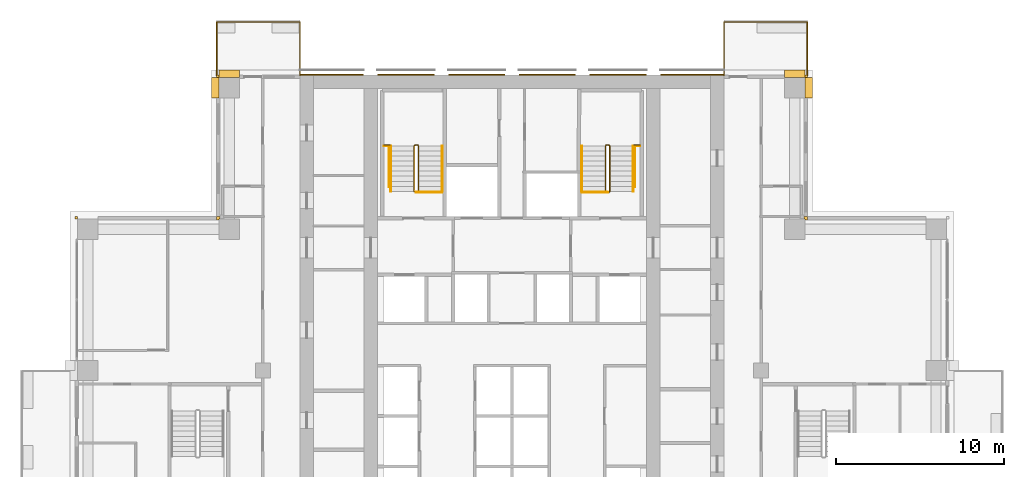
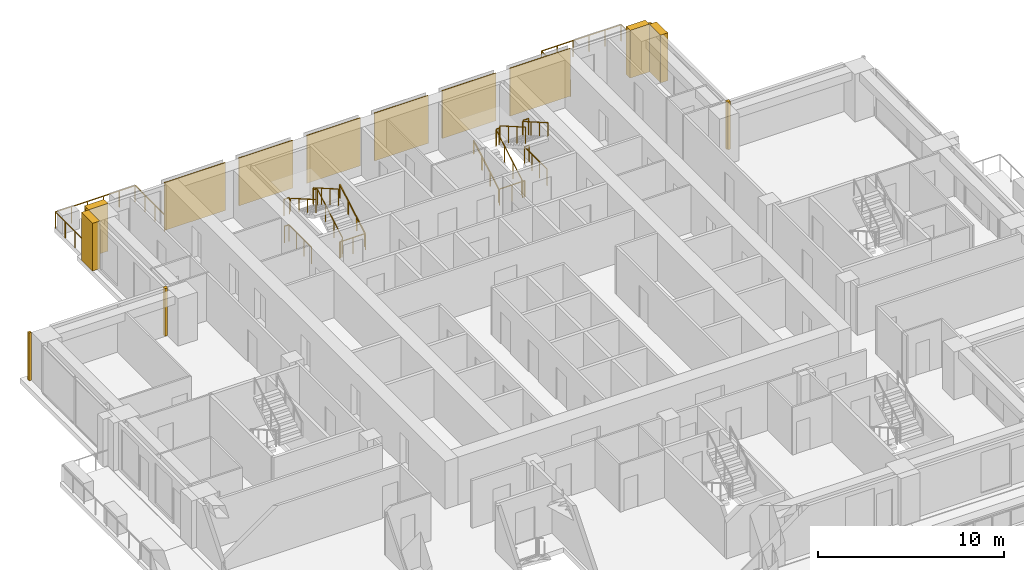
# One storey, part 17 of 18: 15 coverings, 14 railings.
"""IFC4 building model written with IfcOpenShell, lengths in metres."""

from ifc_helpers import new_model, si_unit, direction, frame, origin, origin_2d, place, context, subcontext, project, spatial, polyline, rectangle, outline, extrude, material, type_object, element, save


model = new_model("IFC4")

# Units and contexts
model_context = context("Model", 3, precision=1e-05, world=origin(), true_north=direction((0.0, 1.0)))
body_context = subcontext(model_context, "Body", "Model", "MODEL_VIEW")
ifc_project = project(units=[si_unit("LENGTHUNIT", "METRE"), si_unit("AREAUNIT", "SQUARE_METRE"), si_unit("VOLUMEUNIT", "CUBIC_METRE"), si_unit("PLANEANGLEUNIT", "RADIAN"), si_unit("MASSUNIT", "GRAM", prefix="KILO")], contexts=[model_context])

# Site, building, storey
site_placement = place(None, origin())
site = spatial("IfcSite", under=ifc_project, at=site_placement, CompositionType="ELEMENT")
building_placement = place(site_placement, origin())
building = spatial("IfcBuilding", under=site, at=building_placement, Name="Vermilion Ogive Tower", CompositionType="ELEMENT")
storey_placement = place(building_placement, frame((0.0, 0.0, 108.0)))
storey = spatial("IfcBuildingStorey", under=building, at=storey_placement, Name="L27", CompositionType="ELEMENT", Elevation=108.0)

# Railings
ifc_material_1 = material(Name="Stainless steel and glass", Category="steel")
railing_type_1 = type_object("IfcRailingType", Name="Balcony guard", PredefinedType="GUARDRAIL", material=ifc_material_1)
railing_1_placement = place(storey_placement, frame((17.550048828125, 21.75, -0.0400390625)))
element("IfcRailing", 1, at=railing_1_placement, inside=storey, type_object=railing_type_1, Name="Guard N101", PredefinedType="GUARDRAIL", context=body_context, shape_type="SweptSolid", body=[
    extrude(rectangle(XDim=0.048095703125, YDim=0.048095703125, at=origin_2d()), frame((0.0, 0.0, 1.076171875), z_axis=(0.0, 1.0, 0.0), x_axis=(-1.0, 0.0, 0.0)), (0.0, 0.0, 1.0), 3.159912109375),
    extrude(rectangle(XDim=0.048095703125, YDim=0.048095703125, at=origin_2d()), frame((0.0, 3.159912109375, 1.076171875), z_axis=(-1.0, 0.0, 0.0), x_axis=(0.0, -1.0, 0.0)), (0.0, 0.0, 1.0), 4.949951171875),
    extrude(rectangle(XDim=0.048095703125, YDim=0.048095703125, at=origin_2d()), frame((-4.949951171875, 3.159912109375, 1.076171875), z_axis=(0.0, -1.0, 0.0), x_axis=(1.0, 0.0, 0.0)), (0.0, 0.0, 1.0), 3.159912109375),
    extrude(rectangle(XDim=0.0419921875, YDim=0.0419921875, at=origin_2d()), origin(), (0.0, 0.0, 1.0), 1.052001953125),
    extrude(rectangle(XDim=0.0419921875, YDim=0.0419921875, at=origin_2d()), frame((0.0, 1.05322265625, 0.0)), (0.0, 0.0, 1.0), 1.052001953125),
    extrude(rectangle(XDim=0.0419921875, YDim=0.0419921875, at=origin_2d()), frame((0.0, 2.106689453125, 0.0)), (0.0, 0.0, 1.0), 1.052001953125),
    extrude(rectangle(XDim=0.0419921875, YDim=0.0419921875, at=origin_2d()), frame((0.0, 3.159912109375, 0.0)), (0.0, 0.0, 1.0), 1.052001953125),
    extrude(rectangle(XDim=0.0419921875, YDim=0.0419921875, at=origin_2d()), frame((-0.989990234375, 3.159912109375, 0.0)), (0.0, 0.0, 1.0), 1.052001953125),
    extrude(rectangle(XDim=0.0419921875, YDim=0.0419921875, at=origin_2d()), frame((-1.97998046875, 3.159912109375, 0.0)), (0.0, 0.0, 1.0), 1.052001953125),
    extrude(rectangle(XDim=0.0419921875, YDim=0.0419921875, at=origin_2d()), frame((-2.969970703125, 3.159912109375, 0.0)), (0.0, 0.0, 1.0), 1.052001953125),
    extrude(rectangle(XDim=0.0419921875, YDim=0.0419921875, at=origin_2d()), frame((-3.9599609375, 3.159912109375, 0.0)), (0.0, 0.0, 1.0), 1.052001953125),
    extrude(rectangle(XDim=0.0419921875, YDim=0.0419921875, at=origin_2d()), frame((-4.949951171875, 3.159912109375, 0.0)), (0.0, 0.0, 1.0), 1.052001953125),
    extrude(rectangle(XDim=0.0419921875, YDim=0.0419921875, at=origin_2d()), frame((-4.949951171875, 2.106689453125, 0.0)), (0.0, 0.0, 1.0), 1.052001953125),
    extrude(rectangle(XDim=0.0419921875, YDim=0.0419921875, at=origin_2d()), frame((-4.949951171875, 1.05322265625, 0.0)), (0.0, 0.0, 1.0), 1.052001953125),
    extrude(rectangle(XDim=0.0419921875, YDim=0.0419921875, at=origin_2d()), frame((-4.949951171875, 0.0, 0.0)), (0.0, 0.0, 1.0), 1.052001953125),
])
railing_2_placement = place(storey_placement, frame((-12.60009765625, 21.75, -0.0400390625)))
element("IfcRailing", 2, at=railing_2_placement, inside=storey, type_object=railing_type_1, Name="Guard N201", PredefinedType="GUARDRAIL", context=body_context, shape_type="SweptSolid", body=[
    extrude(rectangle(XDim=0.048095703125, YDim=0.048095703125, at=origin_2d()), frame((0.0, 0.0, 1.076171875), z_axis=(0.0, 1.0, 0.0), x_axis=(-1.0, 0.0, 0.0)), (0.0, 0.0, 1.0), 3.159912109375),
    extrude(rectangle(XDim=0.048095703125, YDim=0.048095703125, at=origin_2d()), frame((0.0, 3.159912109375, 1.076171875), z_axis=(-1.0, 0.0, 0.0), x_axis=(0.0, -1.0, 0.0)), (0.0, 0.0, 1.0), 4.949951171875),
    extrude(rectangle(XDim=0.048095703125, YDim=0.048095703125, at=origin_2d()), frame((-4.949951171875, 3.159912109375, 1.076171875), z_axis=(0.0, -1.0, 0.0), x_axis=(1.0, 0.0, 0.0)), (0.0, 0.0, 1.0), 3.159912109375),
    extrude(rectangle(XDim=0.0419921875, YDim=0.0419921875, at=origin_2d()), origin(), (0.0, 0.0, 1.0), 1.052001953125),
    extrude(rectangle(XDim=0.0419921875, YDim=0.0419921875, at=origin_2d()), frame((0.0, 1.05322265625, 0.0)), (0.0, 0.0, 1.0), 1.052001953125),
    extrude(rectangle(XDim=0.0419921875, YDim=0.0419921875, at=origin_2d()), frame((0.0, 2.106689453125, 0.0)), (0.0, 0.0, 1.0), 1.052001953125),
    extrude(rectangle(XDim=0.0419921875, YDim=0.0419921875, at=origin_2d()), frame((0.0, 3.159912109375, 0.0)), (0.0, 0.0, 1.0), 1.052001953125),
    extrude(rectangle(XDim=0.0419921875, YDim=0.0419921875, at=origin_2d()), frame((-0.989990234375, 3.159912109375, 0.0)), (0.0, 0.0, 1.0), 1.052001953125),
    extrude(rectangle(XDim=0.0419921875, YDim=0.0419921875, at=origin_2d()), frame((-1.97998046875, 3.159912109375, 0.0)), (0.0, 0.0, 1.0), 1.052001953125),
    extrude(rectangle(XDim=0.0419921875, YDim=0.0419921875, at=origin_2d()), frame((-2.969970703125, 3.159912109375, 0.0)), (0.0, 0.0, 1.0), 1.052001953125),
    extrude(rectangle(XDim=0.0419921875, YDim=0.0419921875, at=origin_2d()), frame((-3.9599609375, 3.159912109375, 0.0)), (0.0, 0.0, 1.0), 1.052001953125),
    extrude(rectangle(XDim=0.0419921875, YDim=0.0419921875, at=origin_2d()), frame((-4.949951171875, 3.159912109375, 0.0)), (0.0, 0.0, 1.0), 1.052001953125),
    extrude(rectangle(XDim=0.0419921875, YDim=0.0419921875, at=origin_2d()), frame((-4.949951171875, 2.106689453125, 0.0)), (0.0, 0.0, 1.0), 1.052001953125),
    extrude(rectangle(XDim=0.0419921875, YDim=0.0419921875, at=origin_2d()), frame((-4.949951171875, 1.05322265625, 0.0)), (0.0, 0.0, 1.0), 1.052001953125),
    extrude(rectangle(XDim=0.0419921875, YDim=0.0419921875, at=origin_2d()), frame((-4.949951171875, 0.0, 0.0)), (0.0, 0.0, 1.0), 1.052001953125),
])
ifc_material_2 = material(Name="Steel S355 painted", Category="steel")
railing_type_2 = type_object("IfcRailingType", Name="Stair guard 1100", PredefinedType="GUARDRAIL", material=ifc_material_2)
railing_3_placement = place(storey_placement, frame((-5.75, 14.800048828125, 0.0)))
element("IfcRailing", 3, at=railing_3_placement, inside=storey, type_object=railing_type_2, Name="L27 ST1 stair guard 4", PredefinedType="GUARDRAIL", context=body_context, shape_type="SweptSolid", body=[
    extrude(rectangle(XDim=0.048095703125, YDim=0.048095703125, at=origin_2d()), frame((0.0, 0.0, 1.076171875), z_axis=(1.0, 0.0, 0.0), x_axis=(0.0, 1.0, 0.0)), (0.0, 0.0, 1.0), 0.14990234375),
    extrude(rectangle(XDim=0.048095703125, YDim=0.048095703125, at=origin_2d()), frame((0.14990234375, 0.0, 1.076171875), z_axis=(0.268277960024, 0.268277960024, 0.925231793839), x_axis=(-0.707106781187, 0.707106781187, 0.0)), (0.0, 0.0, 1.0), 0.1865234375),
    extrude(rectangle(XDim=0.048095703125, YDim=0.048095703125, at=origin_2d()), frame((0.199951171875, 0.050048828125, 1.24853515625), z_axis=(0.0, 0.866903762492, 0.498475542607), x_axis=(-1.0, 0.0, 0.0)), (0.0, 0.0, 1.0), 3.114501953125),
    extrude(rectangle(XDim=0.048095703125, YDim=0.048095703125, at=origin_2d()), frame((0.199951171875, 2.75, 2.80126953125), z_axis=(-0.707106781187, 0.707106781187, 0.0), x_axis=(-0.707106781187, -0.707106781187, 0.0)), (0.0, 0.0, 1.0), 0.07080078125),
    extrude(rectangle(XDim=0.048095703125, YDim=0.048095703125, at=origin_2d()), frame((0.14990234375, 2.800048828125, 2.80126953125), z_axis=(-1.0, 0.0, 0.0), x_axis=(0.0, -1.0, 0.0)), (0.0, 0.0, 1.0), 0.14990234375),
    extrude(rectangle(XDim=0.048095703125, YDim=0.048095703125, at=origin_2d()), frame((0.0, 2.800048828125, 2.80126953125), z_axis=(-0.268603158521, -0.268603158521, 0.925043072762), x_axis=(0.707106781187, -0.707106781187, 0.0)), (0.0, 0.0, 1.0), 0.186279296875),
    extrude(rectangle(XDim=0.048095703125, YDim=0.048095703125, at=origin_2d()), frame((-0.050048828125, 2.75, 2.9736328125), z_axis=(0.0, -0.866903762492, 0.498475542607), x_axis=(1.0, 0.0, 0.0)), (0.0, 0.0, 1.0), 3.114501953125),
    extrude(rectangle(XDim=0.0419921875, YDim=0.0419921875, at=origin_2d()), origin(), (0.0, 0.0, 1.0), 1.052001953125),
    extrude(rectangle(XDim=0.0419921875, YDim=0.0419921875, at=origin_2d()), frame((0.14990234375, 0.0, 0.0)), (0.0, 0.0, 1.0), 1.052001953125),
    extrude(rectangle(XDim=0.0419921875, YDim=0.0419921875, at=origin_2d()), frame((0.199951171875, 0.050048828125, 0.172607421875)), (0.0, 0.0, 1.0), 1.052001953125),
    extrude(rectangle(XDim=0.0419921875, YDim=0.0419921875, at=origin_2d()), frame((0.199951171875, 0.949951171875, 0.690185546875)), (0.0, 0.0, 1.0), 1.052001953125),
    extrude(rectangle(XDim=0.0419921875, YDim=0.0419921875, at=origin_2d()), frame((0.199951171875, 1.85009765625, 1.20751953125)), (0.0, 0.0, 1.0), 1.052001953125),
    extrude(rectangle(XDim=0.0419921875, YDim=0.0419921875, at=origin_2d()), frame((0.199951171875, 2.75, 1.72509765625)), (0.0, 0.0, 1.0), 1.052001953125),
    extrude(rectangle(XDim=0.0419921875, YDim=0.0419921875, at=origin_2d()), frame((0.14990234375, 2.800048828125, 1.72509765625)), (0.0, 0.0, 1.0), 1.052001953125),
    extrude(rectangle(XDim=0.0419921875, YDim=0.0419921875, at=origin_2d()), frame((0.0, 2.800048828125, 1.72509765625)), (0.0, 0.0, 1.0), 1.052001953125),
    extrude(rectangle(XDim=0.0419921875, YDim=0.0419921875, at=origin_2d()), frame((-0.050048828125, 2.75, 1.8974609375)), (0.0, 0.0, 1.0), 1.052001953125),
    extrude(rectangle(XDim=0.0419921875, YDim=0.0419921875, at=origin_2d()), frame((-0.050048828125, 1.85009765625, 2.4150390625)), (0.0, 0.0, 1.0), 1.052001953125),
    extrude(rectangle(XDim=0.0419921875, YDim=0.0419921875, at=origin_2d()), frame((-0.050048828125, 0.949951171875, 2.932373046875)), (0.0, 0.0, 1.0), 1.052001953125),
    extrude(rectangle(XDim=0.0419921875, YDim=0.0419921875, at=origin_2d()), frame((-0.050048828125, 0.050048828125, 3.449951171875)), (0.0, 0.0, 1.0), 1.052001953125),
])
railing_4_placement = place(storey_placement, frame((5.75, 14.800048828125, 0.0)))
element("IfcRailing", 4, at=railing_4_placement, inside=storey, type_object=railing_type_2, Name="L27 ST2 stair guard 4", PredefinedType="GUARDRAIL", context=body_context, shape_type="SweptSolid", body=[
    extrude(rectangle(XDim=0.048095703125, YDim=0.048095703125, at=origin_2d()), frame((0.0, 0.0, 1.076171875), z_axis=(-1.0, 0.0, 0.0), x_axis=(0.0, -1.0, 0.0)), (0.0, 0.0, 1.0), 0.14990234375),
    extrude(rectangle(XDim=0.048095703125, YDim=0.048095703125, at=origin_2d()), frame((-0.14990234375, 0.0, 1.076171875), z_axis=(-0.268277960024, 0.268277960024, 0.925231793839), x_axis=(-0.707106781187, -0.707106781187, 0.0)), (0.0, 0.0, 1.0), 0.1865234375),
    extrude(rectangle(XDim=0.048095703125, YDim=0.048095703125, at=origin_2d()), frame((-0.199951171875, 0.050048828125, 1.24853515625), z_axis=(0.0, 0.866903762492, 0.498475542607), x_axis=(-1.0, 0.0, 0.0)), (0.0, 0.0, 1.0), 3.114501953125),
    extrude(rectangle(XDim=0.048095703125, YDim=0.048095703125, at=origin_2d()), frame((-0.199951171875, 2.75, 2.80126953125), z_axis=(0.707106781187, 0.707106781187, 0.0), x_axis=(-0.707106781187, 0.707106781187, 0.0)), (0.0, 0.0, 1.0), 0.07080078125),
    extrude(rectangle(XDim=0.048095703125, YDim=0.048095703125, at=origin_2d()), frame((-0.14990234375, 2.800048828125, 2.80126953125), z_axis=(1.0, 0.0, 0.0), x_axis=(0.0, 1.0, 0.0)), (0.0, 0.0, 1.0), 0.14990234375),
    extrude(rectangle(XDim=0.048095703125, YDim=0.048095703125, at=origin_2d()), frame((0.0, 2.800048828125, 2.80126953125), z_axis=(0.268603158521, -0.268603158521, 0.925043072762), x_axis=(0.707106781187, 0.707106781187, 0.0)), (0.0, 0.0, 1.0), 0.186279296875),
    extrude(rectangle(XDim=0.048095703125, YDim=0.048095703125, at=origin_2d()), frame((0.050048828125, 2.75, 2.9736328125), z_axis=(0.0, -0.866903762492, 0.498475542607), x_axis=(1.0, 0.0, 0.0)), (0.0, 0.0, 1.0), 3.114501953125),
    extrude(rectangle(XDim=0.0419921875, YDim=0.0419921875, at=origin_2d()), origin(), (0.0, 0.0, 1.0), 1.052001953125),
    extrude(rectangle(XDim=0.0419921875, YDim=0.0419921875, at=origin_2d()), frame((-0.14990234375, 0.0, 0.0)), (0.0, 0.0, 1.0), 1.052001953125),
    extrude(rectangle(XDim=0.0419921875, YDim=0.0419921875, at=origin_2d()), frame((-0.199951171875, 0.050048828125, 0.172607421875)), (0.0, 0.0, 1.0), 1.052001953125),
    extrude(rectangle(XDim=0.0419921875, YDim=0.0419921875, at=origin_2d()), frame((-0.199951171875, 0.949951171875, 0.690185546875)), (0.0, 0.0, 1.0), 1.052001953125),
    extrude(rectangle(XDim=0.0419921875, YDim=0.0419921875, at=origin_2d()), frame((-0.199951171875, 1.85009765625, 1.20751953125)), (0.0, 0.0, 1.0), 1.052001953125),
    extrude(rectangle(XDim=0.0419921875, YDim=0.0419921875, at=origin_2d()), frame((-0.199951171875, 2.75, 1.72509765625)), (0.0, 0.0, 1.0), 1.052001953125),
    extrude(rectangle(XDim=0.0419921875, YDim=0.0419921875, at=origin_2d()), frame((-0.14990234375, 2.800048828125, 1.72509765625)), (0.0, 0.0, 1.0), 1.052001953125),
    extrude(rectangle(XDim=0.0419921875, YDim=0.0419921875, at=origin_2d()), frame((0.0, 2.800048828125, 1.72509765625)), (0.0, 0.0, 1.0), 1.052001953125),
    extrude(rectangle(XDim=0.0419921875, YDim=0.0419921875, at=origin_2d()), frame((0.050048828125, 2.75, 1.8974609375)), (0.0, 0.0, 1.0), 1.052001953125),
    extrude(rectangle(XDim=0.0419921875, YDim=0.0419921875, at=origin_2d()), frame((0.050048828125, 1.85009765625, 2.4150390625)), (0.0, 0.0, 1.0), 1.052001953125),
    extrude(rectangle(XDim=0.0419921875, YDim=0.0419921875, at=origin_2d()), frame((0.050048828125, 0.949951171875, 2.932373046875)), (0.0, 0.0, 1.0), 1.052001953125),
    extrude(rectangle(XDim=0.0419921875, YDim=0.0419921875, at=origin_2d()), frame((0.050048828125, 0.050048828125, 3.449951171875)), (0.0, 0.0, 1.0), 1.052001953125),
])
for number, where, name in (
    (5, (-7.60009765625, 17.60009765625, 1.72509765625), "L27 landing guard"),
    (6, (7.25, 17.60009765625, 1.72509765625), "L27 landing guard"),
):
    element("IfcRailing", number, at=place(storey_placement, frame(where)), inside=storey, type_object=railing_type_2, Name=name, PredefinedType="GUARDRAIL", context=body_context, shape_type="SweptSolid", body=[
        extrude(rectangle(XDim=0.048095703125, YDim=0.048095703125, at=origin_2d()), frame((0.0, 0.0, 1.076171875), z_axis=(1.0, 0.0, 0.0), x_axis=(0.0, 1.0, 0.0)), (0.0, 0.0, 1.0), 0.35009765625),
        extrude(rectangle(XDim=0.0419921875, YDim=0.0419921875, at=origin_2d()), origin(), (0.0, 0.0, 1.0), 1.052001953125),
        extrude(rectangle(XDim=0.0419921875, YDim=0.0419921875, at=origin_2d()), frame((0.35009765625, 0.0, 0.0)), (0.0, 0.0, 1.0), 1.052001953125),
    ])
railing_5_placement = place(storey_placement, frame((-4.159912109375, 14.7900390625, 0.0)))
element("IfcRailing", 7, at=railing_5_placement, inside=storey, type_object=railing_type_2, Name="L27 stair opening guard", PredefinedType="GUARDRAIL", context=body_context, shape_type="SweptSolid", body=[
    extrude(rectangle(XDim=0.048095703125, YDim=0.048095703125, at=origin_2d()), frame((0.0, 0.0, 1.076171875), z_axis=(-1.0, 0.0, 0.0), x_axis=(0.0, -1.0, 0.0)), (0.0, 0.0, 1.0), 1.5400390625),
    extrude(rectangle(XDim=0.0419921875, YDim=0.0419921875, at=origin_2d()), origin(), (0.0, 0.0, 1.0), 1.052001953125),
    extrude(rectangle(XDim=0.0419921875, YDim=0.0419921875, at=origin_2d()), frame((-0.77001953125, 0.0, 0.0)), (0.0, 0.0, 1.0), 1.052001953125),
    extrude(rectangle(XDim=0.0419921875, YDim=0.0419921875, at=origin_2d()), frame((-1.5400390625, 0.0, 0.0)), (0.0, 0.0, 1.0), 1.052001953125),
])
railing_6_placement = place(storey_placement, frame((-7.3095703125, 15.11865234375, 0.0)))
element("IfcRailing", 8, at=railing_6_placement, inside=storey, type_object=railing_type_2, Name="L27 stair opening guard", PredefinedType="GUARDRAIL", context=body_context, shape_type="SweptSolid", body=[
    extrude(rectangle(XDim=0.048095703125, YDim=0.048095703125, at=origin_2d()), frame((0.0, 0.0, 1.076171875), z_axis=(0.0, 1.0, 0.0), x_axis=(-1.0, 0.0, 0.0)), (0.0, 0.0, 1.0), 2.42431640625),
    extrude(rectangle(XDim=0.048095703125, YDim=0.048095703125, at=origin_2d()), frame((0.0, 2.42431640625, 1.076171875), z_axis=(-1.0, 0.0, 0.0), x_axis=(0.0, -1.0, 0.0)), (0.0, 0.0, 1.0), 0.2900390625),
    extrude(rectangle(XDim=0.0419921875, YDim=0.0419921875, at=origin_2d()), origin(), (0.0, 0.0, 1.0), 1.052001953125),
    extrude(rectangle(XDim=0.0419921875, YDim=0.0419921875, at=origin_2d()), frame((0.0, 0.80810546875, 0.0)), (0.0, 0.0, 1.0), 1.052001953125),
    extrude(rectangle(XDim=0.0419921875, YDim=0.0419921875, at=origin_2d()), frame((0.0, 1.6162109375, 0.0)), (0.0, 0.0, 1.0), 1.052001953125),
    extrude(rectangle(XDim=0.0419921875, YDim=0.0419921875, at=origin_2d()), frame((0.0, 2.42431640625, 0.0)), (0.0, 0.0, 1.0), 1.052001953125),
    extrude(rectangle(XDim=0.0419921875, YDim=0.0419921875, at=origin_2d()), frame((-0.2900390625, 2.42431640625, 0.0)), (0.0, 0.0, 1.0), 1.052001953125),
])
railing_7_placement = place(storey_placement, frame((7.599609375, 17.54296875, 0.0)))
element("IfcRailing", 9, at=railing_7_placement, inside=storey, type_object=railing_type_2, Name="L27 stair opening guard", PredefinedType="GUARDRAIL", context=body_context, shape_type="SweptSolid", body=[
    extrude(rectangle(XDim=0.048095703125, YDim=0.048095703125, at=origin_2d()), frame((0.0, 0.0, 1.076171875), z_axis=(-1.0, 0.0, 0.0), x_axis=(0.0, -1.0, 0.0)), (0.0, 0.0, 1.0), 0.2900390625),
    extrude(rectangle(XDim=0.048095703125, YDim=0.048095703125, at=origin_2d()), frame((-0.2900390625, 0.0, 1.076171875), z_axis=(0.0, -1.0, 0.0), x_axis=(1.0, 0.0, 0.0)), (0.0, 0.0, 1.0), 2.42431640625),
    extrude(rectangle(XDim=0.0419921875, YDim=0.0419921875, at=origin_2d()), origin(), (0.0, 0.0, 1.0), 1.052001953125),
    extrude(rectangle(XDim=0.0419921875, YDim=0.0419921875, at=origin_2d()), frame((-0.2900390625, 0.0, 0.0)), (0.0, 0.0, 1.0), 1.052001953125),
    extrude(rectangle(XDim=0.0419921875, YDim=0.0419921875, at=origin_2d()), frame((-0.2900390625, -0.80810546875, 0.0)), (0.0, 0.0, 1.0), 1.052001953125),
    extrude(rectangle(XDim=0.0419921875, YDim=0.0419921875, at=origin_2d()), frame((-0.2900390625, -1.6162109375, 0.0)), (0.0, 0.0, 1.0), 1.052001953125),
    extrude(rectangle(XDim=0.0419921875, YDim=0.0419921875, at=origin_2d()), frame((-0.2900390625, -2.42431640625, 0.0)), (0.0, 0.0, 1.0), 1.052001953125),
])
railing_8_placement = place(storey_placement, frame((5.699951171875, 14.7900390625, 0.0)))
element("IfcRailing", 10, at=railing_8_placement, inside=storey, type_object=railing_type_2, Name="L27 stair opening guard", PredefinedType="GUARDRAIL", context=body_context, shape_type="SweptSolid", body=[
    extrude(rectangle(XDim=0.048095703125, YDim=0.048095703125, at=origin_2d()), frame((0.0, 0.0, 1.076171875), z_axis=(-1.0, 0.0, 0.0), x_axis=(0.0, -1.0, 0.0)), (0.0, 0.0, 1.0), 1.5400390625),
    extrude(rectangle(XDim=0.0419921875, YDim=0.0419921875, at=origin_2d()), origin(), (0.0, 0.0, 1.0), 1.052001953125),
    extrude(rectangle(XDim=0.0419921875, YDim=0.0419921875, at=origin_2d()), frame((-0.77001953125, 0.0, 0.0)), (0.0, 0.0, 1.0), 1.052001953125),
    extrude(rectangle(XDim=0.0419921875, YDim=0.0419921875, at=origin_2d()), frame((-1.5400390625, 0.0, 0.0)), (0.0, 0.0, 1.0), 1.052001953125),
])
ifc_material_3 = material(Name="Stainless steel", Category="steel")
railing_type_3 = type_object("IfcRailingType", Name="Stair handrail 900", PredefinedType="HANDRAIL", material=ifc_material_3)
railing_9_placement = place(storey_placement, frame((-4.14990234375, 14.85009765625, 0.172607421875)))
element("IfcRailing", 11, at=railing_9_placement, inside=storey, type_object=railing_type_3, Name="L27 ST1 stair handrail 1", PredefinedType="HANDRAIL", context=body_context, shape_type="SweptSolid", body=[
    extrude(rectangle(XDim=0.048095703125, YDim=0.048095703125, at=origin_2d()), frame((0.0, 0.0, 0.8759765625), z_axis=(0.0, 0.866903762492, 0.498475542607), x_axis=(-1.0, 0.0, 0.0)), (0.0, 0.0, 1.0), 3.114501953125),
    extrude(rectangle(XDim=0.0419921875, YDim=0.0419921875, at=origin_2d()), origin(), (0.0, 0.0, 1.0), 0.851806640625),
    extrude(rectangle(XDim=0.0419921875, YDim=0.0419921875, at=origin_2d()), frame((0.0, 0.89990234375, 0.517578125)), (0.0, 0.0, 1.0), 0.851806640625),
    extrude(rectangle(XDim=0.0419921875, YDim=0.0419921875, at=origin_2d()), frame((0.0, 1.800048828125, 1.034912109375)), (0.0, 0.0, 1.0), 0.851806640625),
    extrude(rectangle(XDim=0.0419921875, YDim=0.0419921875, at=origin_2d()), frame((0.0, 2.699951171875, 1.552490234375)), (0.0, 0.0, 1.0), 0.851806640625),
])
railing_10_placement = place(storey_placement, frame((-7.199951171875, 17.550048828125, 1.8974609375)))
element("IfcRailing", 12, at=railing_10_placement, inside=storey, type_object=railing_type_3, Name="L27 ST1 stair handrail 2", PredefinedType="HANDRAIL", context=body_context, shape_type="SweptSolid", body=[
    extrude(rectangle(XDim=0.048095703125, YDim=0.048095703125, at=origin_2d()), frame((0.0, 0.0, 0.8759765625), z_axis=(0.0, -0.866903762492, 0.498475542607), x_axis=(1.0, 0.0, 0.0)), (0.0, 0.0, 1.0), 3.114501953125),
    extrude(rectangle(XDim=0.0419921875, YDim=0.0419921875, at=origin_2d()), origin(), (0.0, 0.0, 1.0), 0.851806640625),
    extrude(rectangle(XDim=0.0419921875, YDim=0.0419921875, at=origin_2d()), frame((0.0, -0.89990234375, 0.517578125)), (0.0, 0.0, 1.0), 0.851806640625),
    extrude(rectangle(XDim=0.0419921875, YDim=0.0419921875, at=origin_2d()), frame((0.0, -1.800048828125, 1.034912109375)), (0.0, 0.0, 1.0), 0.851806640625),
    extrude(rectangle(XDim=0.0419921875, YDim=0.0419921875, at=origin_2d()), frame((0.0, -2.699951171875, 1.552490234375)), (0.0, 0.0, 1.0), 0.851806640625),
])
railing_11_placement = place(storey_placement, frame((4.14990234375, 14.85009765625, 0.172607421875)))
element("IfcRailing", 13, at=railing_11_placement, inside=storey, type_object=railing_type_3, Name="L27 ST2 stair handrail 1", PredefinedType="HANDRAIL", context=body_context, shape_type="SweptSolid", body=[
    extrude(rectangle(XDim=0.048095703125, YDim=0.048095703125, at=origin_2d()), frame((0.0, 0.0, 0.8759765625), z_axis=(0.0, 0.866903762492, 0.498475542607), x_axis=(-1.0, 0.0, 0.0)), (0.0, 0.0, 1.0), 3.114501953125),
    extrude(rectangle(XDim=0.0419921875, YDim=0.0419921875, at=origin_2d()), origin(), (0.0, 0.0, 1.0), 0.851806640625),
    extrude(rectangle(XDim=0.0419921875, YDim=0.0419921875, at=origin_2d()), frame((0.0, 0.89990234375, 0.517578125)), (0.0, 0.0, 1.0), 0.851806640625),
    extrude(rectangle(XDim=0.0419921875, YDim=0.0419921875, at=origin_2d()), frame((0.0, 1.800048828125, 1.034912109375)), (0.0, 0.0, 1.0), 0.851806640625),
    extrude(rectangle(XDim=0.0419921875, YDim=0.0419921875, at=origin_2d()), frame((0.0, 2.699951171875, 1.552490234375)), (0.0, 0.0, 1.0), 0.851806640625),
])
railing_12_placement = place(storey_placement, frame((7.199951171875, 17.550048828125, 1.8974609375)))
element("IfcRailing", 14, at=railing_12_placement, inside=storey, type_object=railing_type_3, Name="L27 ST2 stair handrail 2", PredefinedType="HANDRAIL", context=body_context, shape_type="SweptSolid", body=[
    extrude(rectangle(XDim=0.048095703125, YDim=0.048095703125, at=origin_2d()), frame((0.0, 0.0, 0.8759765625), z_axis=(0.0, -0.866903762492, 0.498475542607), x_axis=(1.0, 0.0, 0.0)), (0.0, 0.0, 1.0), 3.114501953125),
    extrude(rectangle(XDim=0.0419921875, YDim=0.0419921875, at=origin_2d()), origin(), (0.0, 0.0, 1.0), 0.851806640625),
    extrude(rectangle(XDim=0.0419921875, YDim=0.0419921875, at=origin_2d()), frame((0.0, -0.89990234375, 0.517578125)), (0.0, 0.0, 1.0), 0.851806640625),
    extrude(rectangle(XDim=0.0419921875, YDim=0.0419921875, at=origin_2d()), frame((0.0, -1.800048828125, 1.034912109375)), (0.0, 0.0, 1.0), 0.851806640625),
    extrude(rectangle(XDim=0.0419921875, YDim=0.0419921875, at=origin_2d()), frame((0.0, -2.699951171875, 1.552490234375)), (0.0, 0.0, 1.0), 0.851806640625),
])

# Coverings
ifc_material_4 = material(Name="Stone cladding", Category="masonry")
covering_type_1 = type_object("IfcCoveringType", Name="Stone cladding panel", PredefinedType="CLADDING", material=ifc_material_4)
covering_1_placement = place(storey_placement, origin())
element("IfcCovering", 15, at=covering_1_placement, inside=storey, type_object=covering_type_1, Name="Stone cladding panel N1", PredefinedType="CLADDING", context=body_context, shape_type="SweptSolid", body=[
    extrude(outline(polyline([(-12.590087890625, 21.75), (-8.830078125, 21.75), (-8.830078125, 21.81005859375), (-12.590087890625, 21.81005859375), (-12.590087890625, 21.75)])), origin(), (0.0, 0.0, 1.0), 3.1298828125),
])
covering_2_placement = place(storey_placement, origin())
element("IfcCovering", 16, at=covering_2_placement, inside=storey, type_object=covering_type_1, Name="Stone cladding panel N2", PredefinedType="CLADDING", context=body_context, shape_type="SweptSolid", body=[
    extrude(outline(polyline([(-7.969970703125, 21.75), (-4.6298828125, 21.75), (-4.6298828125, 21.81005859375), (-7.969970703125, 21.81005859375), (-7.969970703125, 21.75)])), origin(), (0.0, 0.0, 1.0), 3.1298828125),
])
covering_3_placement = place(storey_placement, origin())
element("IfcCovering", 17, at=covering_3_placement, inside=storey, type_object=covering_type_1, Name="Stone cladding panel N3", PredefinedType="CLADDING", context=body_context, shape_type="SweptSolid", body=[
    extrude(outline(polyline([(-3.77001953125, 21.75), (-0.429931640625, 21.75), (-0.429931640625, 21.81005859375), (-3.77001953125, 21.81005859375), (-3.77001953125, 21.75)])), origin(), (0.0, 0.0, 1.0), 3.1298828125),
])
covering_4_placement = place(storey_placement, origin())
element("IfcCovering", 18, at=covering_4_placement, inside=storey, type_object=covering_type_1, Name="Stone cladding panel N4", PredefinedType="CLADDING", context=body_context, shape_type="SweptSolid", body=[
    extrude(outline(polyline([(0.429931640625, 21.75), (3.77001953125, 21.75), (3.77001953125, 21.81005859375), (0.429931640625, 21.81005859375), (0.429931640625, 21.75)])), origin(), (0.0, 0.0, 1.0), 3.1298828125),
])
covering_5_placement = place(storey_placement, origin())
element("IfcCovering", 19, at=covering_5_placement, inside=storey, type_object=covering_type_1, Name="Stone cladding panel N5", PredefinedType="CLADDING", context=body_context, shape_type="SweptSolid", body=[
    extrude(outline(polyline([(4.6298828125, 21.75), (7.969970703125, 21.75), (7.969970703125, 21.81005859375), (4.6298828125, 21.81005859375), (4.6298828125, 21.75)])), origin(), (0.0, 0.0, 1.0), 3.1298828125),
])
covering_6_placement = place(storey_placement, origin())
element("IfcCovering", 20, at=covering_6_placement, inside=storey, type_object=covering_type_1, Name="Stone cladding panel N6", PredefinedType="CLADDING", context=body_context, shape_type="SweptSolid", body=[
    extrude(outline(polyline([(8.830078125, 21.75), (12.590087890625, 21.75), (12.590087890625, 21.81005859375), (8.830078125, 21.81005859375), (8.830078125, 21.75)])), origin(), (0.0, 0.0, 1.0), 3.1298828125),
])
ifc_material_5 = material(Name="Stone cladding", Category="masonry")
covering_type_2 = type_object("IfcCoveringType", Name="Stone pier", PredefinedType="CLADDING", material=ifc_material_5)
covering_7_placement = place(storey_placement, origin())
element("IfcCovering", 21, at=covering_7_placement, inside=storey, type_object=covering_type_2, Name="Stone corner pier X3E1", PredefinedType="CLADDING", context=body_context, shape_type="SweptSolid", body=[
    extrude(outline(polyline([(17.39990234375, 13.14990234375), (17.39990234375, 13.199951171875), (17.35009765625, 13.199951171875), (17.35009765625, 13.35009765625), (17.550048828125, 13.35009765625), (17.550048828125, 13.14990234375), (17.39990234375, 13.14990234375)])), origin(), (0.0, 0.0, 1.0), 3.1298828125),
])
covering_8_placement = place(storey_placement, origin())
element("IfcCovering", 22, at=covering_8_placement, inside=storey, type_object=covering_type_2, Name="Stone corner pier X4E1", PredefinedType="CLADDING", context=body_context, shape_type="SweptSolid", body=[
    extrude(outline(polyline([(17.550048828125, 21.60009765625), (17.39990234375, 21.60009765625), (17.39990234375, 21.60009765625), (17.39990234375, 21.75), (17.550048828125, 21.75), (17.550048828125, 21.60009765625)])), origin(), (0.0, 0.0, 1.0), 3.1298828125),
])
covering_9_placement = place(storey_placement, origin())
element("IfcCovering", 23, at=covering_9_placement, inside=storey, type_object=covering_type_2, Name="Stone corner pier N2E1", PredefinedType="CLADDING", context=body_context, shape_type="SweptSolid", body=[
    extrude(outline(polyline([(-17.39990234375, 21.75), (-17.39990234375, 21.60009765625), (-17.39990234375, 21.60009765625), (-17.550048828125, 21.60009765625), (-17.550048828125, 21.75), (-17.39990234375, 21.75)])), origin(), (0.0, 0.0, 1.0), 3.1298828125),
])
covering_10_placement = place(storey_placement, origin())
element("IfcCovering", 24, at=covering_10_placement, inside=storey, type_object=covering_type_2, Name="Stone corner pier X5E1", PredefinedType="CLADDING", context=body_context, shape_type="SweptSolid", body=[
    extrude(outline(polyline([(-17.35009765625, 13.199951171875), (-17.39990234375, 13.199951171875), (-17.39990234375, 13.14990234375), (-17.550048828125, 13.14990234375), (-17.550048828125, 13.35009765625), (-17.35009765625, 13.35009765625), (-17.35009765625, 13.199951171875)])), origin(), (0.0, 0.0, 1.0), 3.1298828125),
])
covering_11_placement = place(storey_placement, origin())
element("IfcCovering", 25, at=covering_11_placement, inside=storey, type_object=covering_type_2, Name="Stone corner pier X6E1", PredefinedType="CLADDING", context=body_context, shape_type="SweptSolid", body=[
    extrude(outline(polyline([(-25.800048828125, 13.35009765625), (-25.800048828125, 13.199951171875), (-25.949951171875, 13.199951171875), (-25.949951171875, 13.35009765625), (-25.800048828125, 13.35009765625)])), origin(), (0.0, 0.0, 1.0), 3.1298828125),
])
covering_12_placement = place(storey_placement, origin())
element("IfcCovering", 26, at=covering_12_placement, inside=storey, type_object=covering_type_2, Name="Stone pier P+0168+210X4", PredefinedType="CLADDING", context=body_context, shape_type="SweptSolid", body=[
    extrude(outline(polyline([(17.85009765625, 21.60009765625), (17.85009765625, 20.39990234375), (17.39990234375, 20.39990234375), (17.39990234375, 21.60009765625), (17.85009765625, 21.60009765625)])), origin(), (0.0, 0.0, 1.0), 3.1298828125),
])
covering_13_placement = place(storey_placement, origin())
element("IfcCovering", 27, at=covering_13_placement, inside=storey, type_object=covering_type_2, Name="Stone pier P+0168+210N1", PredefinedType="CLADDING", context=body_context, shape_type="SweptSolid", body=[
    extrude(outline(polyline([(17.39990234375, 22.050048828125), (17.39990234375, 21.60009765625), (16.199951171875, 21.60009765625), (16.199951171875, 22.050048828125), (17.39990234375, 22.050048828125)])), origin(), (0.0, 0.0, 1.0), 3.1298828125),
])
covering_14_placement = place(storey_placement, origin())
element("IfcCovering", 28, at=covering_14_placement, inside=storey, type_object=covering_type_2, Name="Stone pier P-0168+210N2", PredefinedType="CLADDING", context=body_context, shape_type="SweptSolid", body=[
    extrude(outline(polyline([(-17.39990234375, 22.050048828125), (-16.199951171875, 22.050048828125), (-16.199951171875, 21.60009765625), (-17.39990234375, 21.60009765625), (-17.39990234375, 22.050048828125)])), origin(), (0.0, 0.0, 1.0), 3.1298828125),
])
covering_15_placement = place(storey_placement, origin())
element("IfcCovering", 29, at=covering_15_placement, inside=storey, type_object=covering_type_2, Name="Stone pier P-0168+210X5", PredefinedType="CLADDING", context=body_context, shape_type="SweptSolid", body=[
    extrude(outline(polyline([(-17.85009765625, 21.60009765625), (-17.39990234375, 21.60009765625), (-17.39990234375, 20.39990234375), (-17.85009765625, 20.39990234375), (-17.85009765625, 21.60009765625)])), origin(), (0.0, 0.0, 1.0), 3.1298828125),
])

save(model, "model.ifc")
